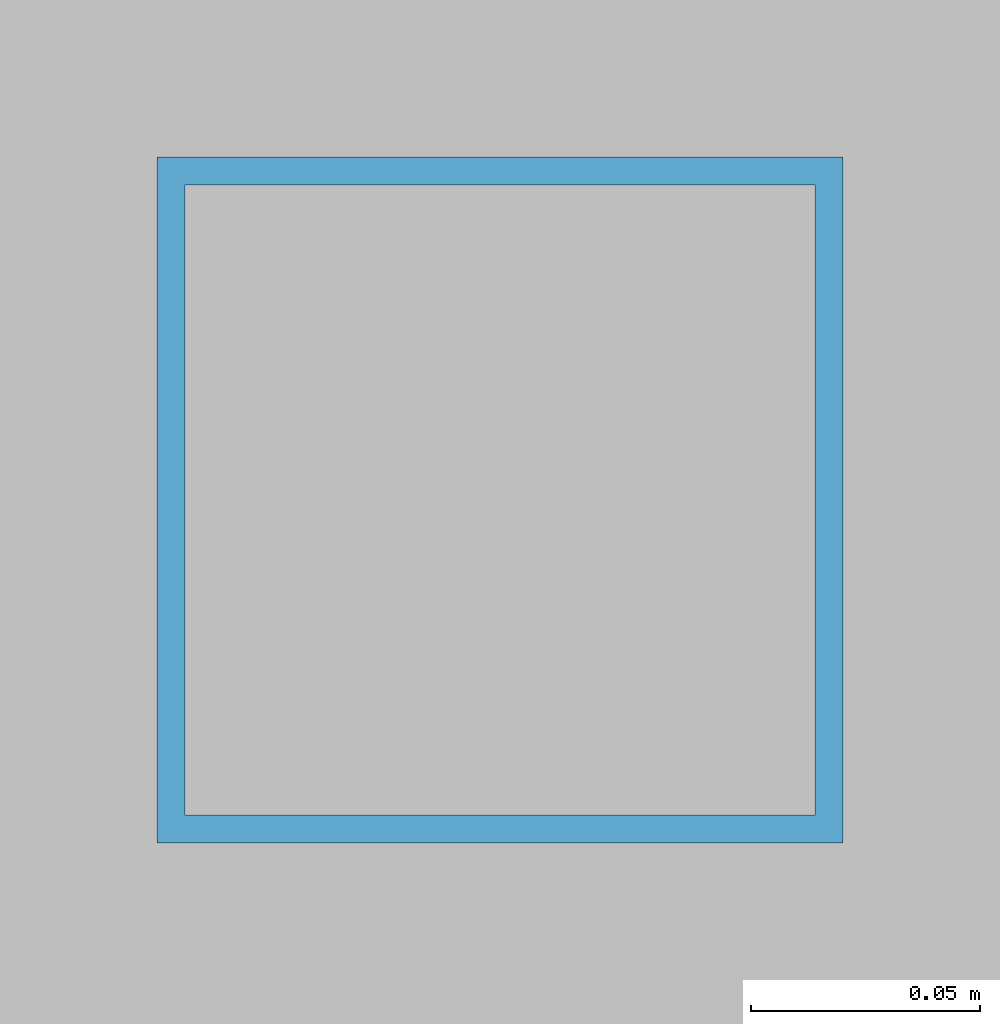
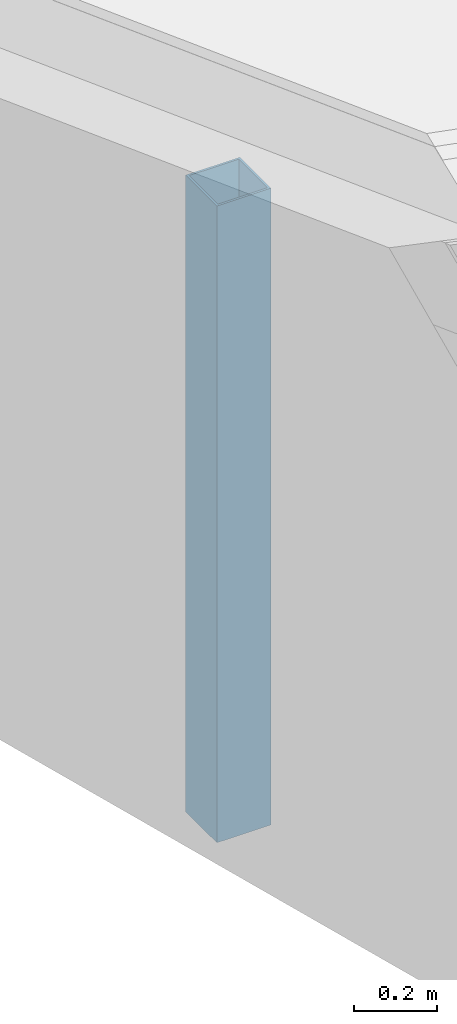
# One storey, part 52 of 185: 1 member.
"""IFC4 building model written with IfcOpenShell, lengths in metres."""

from ifc_helpers import new_model, si_unit, direction, frame, origin, origin_2d, place, context, subcontext, project, spatial, hollow_rectangle, extrude, material, material_profile, profile_set, type_object, element, save


model = new_model("IFC4")

# Units and contexts
model_context = context("Model", 3, precision=1e-05, world=origin(), true_north=direction((0.0, 1.0)))
body_context = subcontext(model_context, "Body", "Model", "MODEL_VIEW")
ifc_project = project(units=[si_unit("LENGTHUNIT", "METRE"), si_unit("AREAUNIT", "SQUARE_METRE"), si_unit("VOLUMEUNIT", "CUBIC_METRE"), si_unit("PLANEANGLEUNIT", "RADIAN"), si_unit("MASSUNIT", "GRAM", prefix="KILO")], contexts=[model_context])

# Site, building, storey
site_placement = place(None, origin())
site = spatial("IfcSite", under=ifc_project, at=site_placement, CompositionType="ELEMENT")
building_placement = place(site_placement, origin())
building = spatial("IfcBuilding", under=site, at=building_placement, Name="Vondelvale Polytechnic", CompositionType="ELEMENT")
storey_placement = place(building_placement, frame((0.0, 0.0, 9.60009765625)))
storey = spatial("IfcBuildingStorey", under=building, at=storey_placement, Name="L02", CompositionType="ELEMENT", Elevation=9.60009765625)

# Member
ifc_material = material(Name="Steel C350L0 (fy = 350 MPa)", Category="steel")
ifc_material_profile = material_profile(ifc_material, hollow_rectangle(XDim=0.14990234375, YDim=0.14990234375, WallThickness=0.006103515625, at=origin_2d()), Name="150x150x6.0SHS")
ifc_profile_set = profile_set([ifc_material_profile], Name="Steel C350L0 (fy = 350 MPa)")
member_type = type_object("IfcMemberType", Name="ROOF TRUSS POST 150SHS", PredefinedType="POST", material=ifc_profile_set)
member_placement = place(storey_placement, frame((111.576416015625, 36.2607421875, 0.0), z_axis=(0.0, 0.0, 1.0), x_axis=(1.0, 0.0, 0.0)))
element("IfcMember", 1, at=member_placement, inside=storey, type_object=member_type, Name="Ring mid roof post 19", PredefinedType="POST", context=body_context, shape_type="SweptSolid", body=[
    extrude(hollow_rectangle(XDim=0.14990234375, YDim=0.14990234375, WallThickness=0.006103515625, at=origin_2d()), origin(), (0.0, 0.0, 1.0), 1.86572265625),
])

save(model, "model.ifc")
